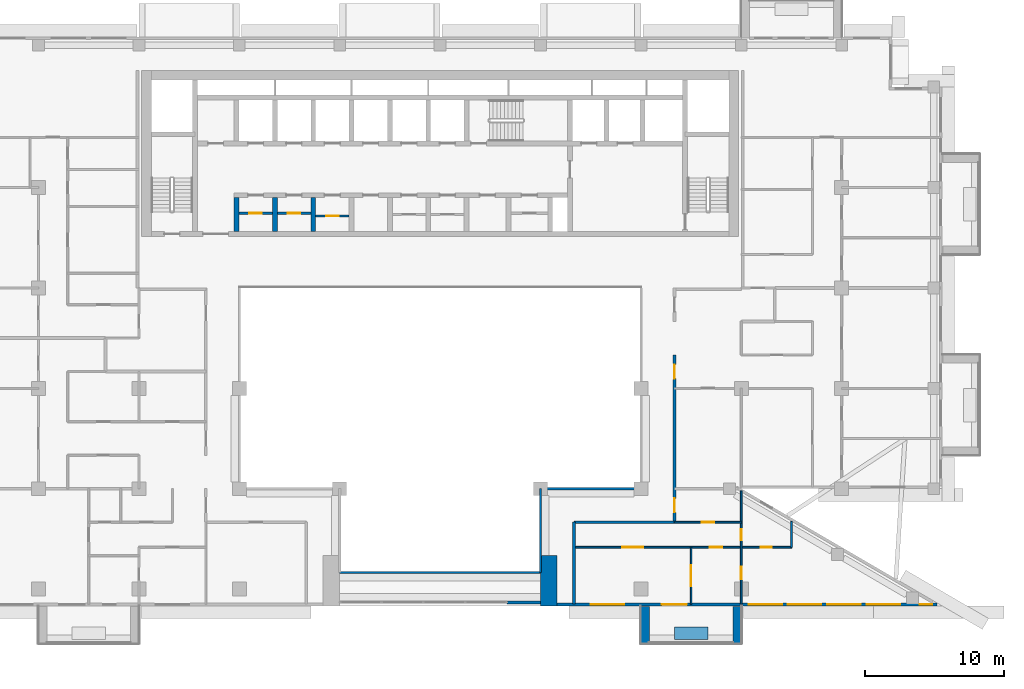
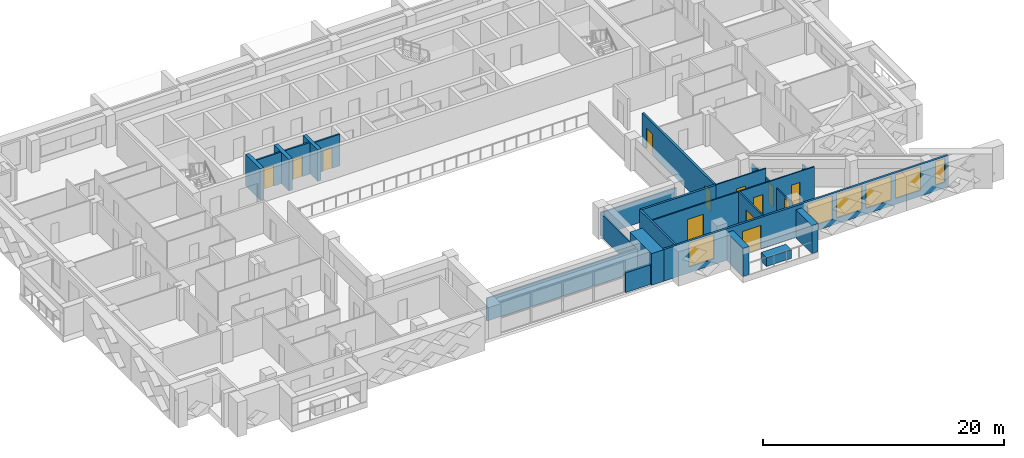
# One storey, part 8 of 19: 23 walls, 13 doors, 6 windows, 19 openings.
"""IFC4 building model written with IfcOpenShell, lengths in metres."""

from ifc_helpers import new_model, si_unit, direction, frame, frame_2d, origin, place, context, subcontext, project, spatial, rectangle, extrude, material, layer, layer_set, type_object, element, fill, save


model = new_model("IFC4")

# Units and contexts
model_context = context("Model", 3, precision=1e-05, world=origin(), true_north=direction((0.0, 1.0)))
body_context = subcontext(model_context, "Body", "Model", "MODEL_VIEW")
ifc_project = project(units=[si_unit("LENGTHUNIT", "METRE"), si_unit("AREAUNIT", "SQUARE_METRE"), si_unit("VOLUMEUNIT", "CUBIC_METRE"), si_unit("PLANEANGLEUNIT", "RADIAN"), si_unit("MASSUNIT", "GRAM", prefix="KILO")], contexts=[model_context])

# Site, building, storey
site_placement = place(None, origin())
site = spatial("IfcSite", under=ifc_project, at=site_placement, CompositionType="ELEMENT")
building_placement = place(site_placement, origin())
building = spatial("IfcBuilding", under=site, at=building_placement, Name="Saffron Iwan Residences", CompositionType="ELEMENT")
storey_placement = place(building_placement, frame((0.0, 0.0, 160.5)))
storey = spatial("IfcBuildingStorey", under=building, at=storey_placement, Name="L42", CompositionType="ELEMENT", Elevation=160.5)

# Walls
ifc_material_1 = material(Name="Fire-rated glazing", Category="glass")
ifc_layer_1 = layer(ifc_material_1, 0.14990234375)
ifc_layer_set_1 = layer_set([ifc_layer_1], Name="Fire-rated glazing")
wall_type_1 = type_object("IfcWallType", Name="Atrium glazed screen 150", PredefinedType="SOLIDWALL", material=ifc_layer_set_1)
wall_1_placement = place(storey_placement, frame((43.199951171875, 42.0, 0.0), z_axis=(0.0, 0.0, 1.0), x_axis=(1.0, 0.0, 0.0)))
element("IfcWall", 1, at=wall_1_placement, inside=storey, type_object=wall_type_1, Name="W-L42-SCREEN-h42-43.2", PredefinedType="SOLIDWALL", context=body_context, shape_type="SweptSolid", body=[
    extrude(rectangle(XDim=14.400146484375, YDim=0.14990234375, at=frame_2d((7.2001953125, 0.0))), origin(), (0.0, 0.0, 1.0), 2.300048828125),
])
wall_2_placement = place(storey_placement, frame((57.60009765625, 48.0, 0.0), z_axis=(0.0, 0.0, 1.0), x_axis=(1.0, 0.0, 0.0)))
element("IfcWall", 2, at=wall_2_placement, inside=storey, type_object=wall_type_1, Name="W-L42-SCREEN-h48-57.6", PredefinedType="SOLIDWALL", context=body_context, shape_type="SweptSolid", body=[
    extrude(rectangle(XDim=7.199951171875, YDim=0.14990234375, at=frame_2d((3.60009765625, 0.0))), origin(), (0.0, 0.0, 1.0), 2.300048828125),
])
wall_3_placement = place(storey_placement, frame((57.60009765625, 42.0, 0.0), z_axis=(0.0, 0.0, 1.0), x_axis=(0.0, 1.0, 0.0)))
element("IfcWall", 3, at=wall_3_placement, inside=storey, type_object=wall_type_1, Name="W-L42-SCREEN-v57.6-42", PredefinedType="SOLIDWALL", context=body_context, shape_type="SweptSolid", body=[
    extrude(rectangle(XDim=6.0, YDim=0.14990234375, at=frame_2d((3.0, 0.0))), origin(), (0.0, 0.0, 1.0), 2.300048828125),
])
ifc_material_2 = material(Name="Concrete C50/60 white painted", Category="concrete")
ifc_layer_2 = layer(ifc_material_2, 0.60009765625)
ifc_layer_set_2 = layer_set([ifc_layer_2], Name="Concrete C50/60 white painted")
wall_type_2 = type_object("IfcWallType", Name="BALCONY FIN 600", PredefinedType="SOLIDWALL", material=ifc_layer_set_2)
for number, where, z_axis, x_axis, name in (
    (4, (65.10009765625, 39.550048828125, 0.0), (0.0, 0.0, 1.0), (0.0, -1.0, 0.0), "Balcony fin L42 11-1a"),
    (5, (71.699951171875, 39.550048828125, 0.0), (0.0, 0.0, 1.0), (0.0, -1.0, 0.0), "Balcony fin L42 11-1b"),
):
    element("IfcWall", number, at=place(storey_placement, frame(where, z_axis=z_axis, x_axis=x_axis)), inside=storey, type_object=wall_type_2, Name=name, PredefinedType="SOLIDWALL", context=body_context, shape_type="SweptSolid", body=[
        extrude(rectangle(XDim=2.650146484375, YDim=0.60009765625, at=frame_2d((1.3251953125, 0.0))), origin(), (0.0, 0.0, 1.0), 2.85009765625),
    ])
ifc_material_3 = material(Name="Concrete C35/45 white painted", Category="concrete")
ifc_layer_3 = layer(ifc_material_3, 0.14990234375)
ifc_layer_set_3 = layer_set([ifc_layer_3], Name="Concrete C35/45 white painted")
wall_type_3 = type_object("IfcWallType", Name="BALCONY PLANTER", PredefinedType="SOLIDWALL", material=ifc_layer_set_3)
wall_4_placement = place(storey_placement, frame((67.199951171875, 37.625, 0.0), z_axis=(0.0, 0.0, 1.0), x_axis=(1.0, 0.0, 0.0)))
element("IfcWall", 6, at=wall_4_placement, inside=storey, type_object=wall_type_3, Name="PLANTER L42 11-1", PredefinedType="SOLIDWALL", context=body_context, shape_type="SweptSolid", body=[
    extrude(rectangle(XDim=2.400146484375, YDim=0.89990234375, at=frame_2d((1.2001953125, 0.0))), origin(), (0.0, 0.0, 1.0), 0.89990234375),
])

# Wall, opening, door
ifc_material_4 = material(Name="Fire-rated plasterboard partition")
ifc_layer_4 = layer(ifc_material_4, 0.14990234375)
ifc_layer_set_4 = layer_set([ifc_layer_4], Name="Fire-rated plasterboard partition")
wall_type_4 = type_object("IfcWallType", Name="Core partition 150", PredefinedType="PARTITIONING", material=ifc_layer_set_4)
wall_5_placement = place(storey_placement, frame((35.97509765625, 67.759521484375, 0.0), z_axis=(0.0, 0.0, 1.0), x_axis=(1.0, 0.0, 0.0)))
wall_5 = element("IfcWall", 7, at=wall_5_placement, inside=storey, type_object=wall_type_4, Name="Core partition P01", PredefinedType="PARTITIONING", context=body_context, shape_type="SweptSolid", body=[
    extrude(rectangle(XDim=2.39990234375, YDim=0.14990234375, at=frame_2d((1.199951171875, 0.0))), origin(), (0.0, 0.0, 1.0), 3.199951171875),
])
opening_1_placement = place(wall_5_placement, frame((0.75, 0.0, 0.0)))
opening_1 = element("IfcOpeningElement", 8, at=opening_1_placement, cuts=wall_5, Name="Opening SB", PredefinedType="OPENING", context=body_context, shape_type="SweptSolid", body=[
    extrude(rectangle(XDim=0.89990234375, YDim=2.10009765625, at=frame_2d((0.449951171875, 1.050048828125))), frame((0.0, 0.0849609375, 0.0), z_axis=(0.0, -1.0, 0.0), x_axis=(1.0, 0.0, 0.0)), (0.0, 0.0, 1.0), 0.169921875),
])
ifc_material_5 = material(Name="Steel fire door", Category="steel")
door_type_1 = type_object("IfcDoorType", Name="Store door 900", OperationType="NOTDEFINED", PredefinedType="DOOR", material=ifc_material_5)
door_1_placement = place(opening_1_placement, origin())
door_1 = element("IfcDoor", 9, at=door_1_placement, inside=storey, type_object=door_type_1, Name="Door Tool store", OperationType="SINGLE_SWING_LEFT", OverallHeight=2.10009765625, OverallWidth=0.89990234375, PredefinedType="DOOR", context=body_context, shape_type="SweptSolid", body=[
    extrude(rectangle(XDim=0.89990234375, YDim=2.10009765625, at=frame_2d((0.449951171875, 1.050048828125))), frame((0.0, 0.02490234375, 0.0), z_axis=(0.0, -1.0, 0.0), x_axis=(1.0, 0.0, 0.0)), (0.0, 0.0, 1.0), 0.050048828125),
])
fill(opening_1, door_1)

wall_6_placement = place(storey_placement, frame((38.72509765625, 67.759521484375, 0.0), z_axis=(0.0, 0.0, 1.0), x_axis=(1.0, 0.0, 0.0)))
wall_6 = element("IfcWall", 10, at=wall_6_placement, inside=storey, type_object=wall_type_4, Name="Core partition P02", PredefinedType="PARTITIONING", context=body_context, shape_type="SweptSolid", body=[
    extrude(rectangle(XDim=2.39990234375, YDim=0.14990234375, at=frame_2d((1.199951171875, 0.0))), origin(), (0.0, 0.0, 1.0), 3.199951171875),
])
opening_2_placement = place(wall_6_placement, frame((0.75, 0.0, 0.0)))
opening_2 = element("IfcOpeningElement", 11, at=opening_2_placement, cuts=wall_6, Name="Opening SB", PredefinedType="OPENING", context=body_context, shape_type="SweptSolid", body=[
    extrude(rectangle(XDim=0.89990234375, YDim=2.10009765625, at=frame_2d((0.449951171875, 1.050048828125))), frame((0.0, 0.0849609375, 0.0), z_axis=(0.0, -1.0, 0.0), x_axis=(1.0, 0.0, 0.0)), (0.0, 0.0, 1.0), 0.169921875),
])
door_2_placement = place(opening_2_placement, origin())
door_2 = element("IfcDoor", 12, at=door_2_placement, inside=storey, type_object=door_type_1, Name="Door Cabling room", OperationType="SINGLE_SWING_RIGHT", OverallHeight=2.10009765625, OverallWidth=0.89990234375, PredefinedType="DOOR", context=body_context, shape_type="SweptSolid", body=[
    extrude(rectangle(XDim=0.89990234375, YDim=2.10009765625, at=frame_2d((0.449951171875, 1.050048828125))), frame((0.0, 0.02490234375, 0.0), z_axis=(0.0, -1.0, 0.0), x_axis=(1.0, 0.0, 0.0)), (0.0, 0.0, 1.0), 0.050048828125),
])
fill(opening_2, door_2)

wall_7_placement = place(storey_placement, frame((41.47509765625, 67.5654296875, 0.0), z_axis=(0.0, 0.0, 1.0), x_axis=(1.0, 0.0, 0.0)))
wall_7 = element("IfcWall", 13, at=wall_7_placement, inside=storey, type_object=wall_type_4, Name="Core partition P03", PredefinedType="PARTITIONING", context=body_context, shape_type="SweptSolid", body=[
    extrude(rectangle(XDim=2.39990234375, YDim=0.14990234375, at=frame_2d((1.199951171875, 0.0))), origin(), (0.0, 0.0, 1.0), 3.199951171875),
])
opening_3_placement = place(wall_7_placement, frame((0.75, 0.0, 0.0)))
opening_3 = element("IfcOpeningElement", 14, at=opening_3_placement, cuts=wall_7, Name="Opening SB", PredefinedType="OPENING", context=body_context, shape_type="SweptSolid", body=[
    extrude(rectangle(XDim=0.89990234375, YDim=2.10009765625, at=frame_2d((0.449951171875, 1.050048828125))), frame((0.0, 0.0849609375, 0.0), z_axis=(0.0, -1.0, 0.0), x_axis=(1.0, 0.0, 0.0)), (0.0, 0.0, 1.0), 0.169921875),
])
door_3_placement = place(opening_3_placement, origin())
door_3 = element("IfcDoor", 15, at=door_3_placement, inside=storey, type_object=door_type_1, Name="Door Equipment store", OperationType="SINGLE_SWING_RIGHT", OverallHeight=2.10009765625, OverallWidth=0.89990234375, PredefinedType="DOOR", context=body_context, shape_type="SweptSolid", body=[
    extrude(rectangle(XDim=0.89990234375, YDim=2.10009765625, at=frame_2d((0.449951171875, 1.050048828125))), frame((0.0, 0.02490234375, 0.0), z_axis=(0.0, -1.0, 0.0), x_axis=(1.0, 0.0, 0.0)), (0.0, 0.0, 1.0), 0.050048828125),
])
fill(opening_3, door_3)

# Wall, openings, door, windows
ifc_material_6 = material(Name="Concrete C40/50", Category="concrete")
ifc_layer_5 = layer(ifc_material_6, 0.199951171875)
ifc_layer_set_5 = layer_set([ifc_layer_5], Name="Concrete C40/50")
wall_type_5 = type_object("IfcWallType", Name="EXTERNAL WALL 200", PredefinedType="SOLIDWALL", material=ifc_layer_set_5)
wall_8_placement = place(storey_placement, frame((58.800048828125, 39.699951171875, 0.0), z_axis=(0.0, 0.0, 1.0), x_axis=(1.0, 0.0, 0.0)))
wall_8 = element("IfcWall", 16, at=wall_8_placement, inside=storey, type_object=wall_type_5, Name="External wall L42 F11.1", PredefinedType="SOLIDWALL", context=body_context, shape_type="SweptSolid", body=[
    extrude(rectangle(XDim=27.22998046875, YDim=0.199951171875, at=frame_2d((13.614990234375, 0.0))), origin(), (0.0, 0.0, 1.0), 3.199951171875),
])
opening_4_placement = place(wall_8_placement, frame((7.5, 0.0, 0.0)))
opening_4 = element("IfcOpeningElement", 17, at=opening_4_placement, cuts=wall_8, Name="Opening BD1", PredefinedType="OPENING", context=body_context, shape_type="SweptSolid", body=[
    extrude(rectangle(XDim=1.800048828125, YDim=2.39990234375, at=frame_2d((0.89990234375, 1.199951171875))), frame((0.0, 0.10986328125, 0.0), z_axis=(0.0, -1.0, 0.0), x_axis=(1.0, 0.0, 0.0)), (0.0, 0.0, 1.0), 0.219970703125),
])
opening_5_placement = place(wall_8_placement, frame((2.39990234375, 0.0, 0.60009765625)))
opening_5 = element("IfcOpeningElement", 18, at=opening_5_placement, cuts=wall_8, Name="Opening W1", PredefinedType="OPENING", context=body_context, shape_type="SweptSolid", body=[
    extrude(rectangle(XDim=2.39990234375, YDim=2.39990234375, at=frame_2d((1.199951171875, 1.199951171875))), frame((0.0, 0.10986328125, 0.0), z_axis=(0.0, -1.0, 0.0), x_axis=(1.0, 0.0, 0.0)), (0.0, 0.0, 1.0), 0.219970703125),
])
opening_6_placement = place(wall_8_placement, frame((13.72021484375, 0.0, 0.60009765625)))
opening_6 = element("IfcOpeningElement", 19, at=opening_6_placement, cuts=wall_8, Name="Opening W1", PredefinedType="OPENING", context=body_context, shape_type="SweptSolid", body=[
    extrude(rectangle(XDim=2.39990234375, YDim=2.39990234375, at=frame_2d((1.199951171875, 1.199951171875))), frame((0.0, 0.10986328125, 0.0), z_axis=(0.0, -1.0, 0.0), x_axis=(1.0, 0.0, 0.0)), (0.0, 0.0, 1.0), 0.219970703125),
])
opening_7_placement = place(wall_8_placement, frame((16.54052734375, 0.0, 0.60009765625)))
opening_7 = element("IfcOpeningElement", 20, at=opening_7_placement, cuts=wall_8, Name="Opening W1", PredefinedType="OPENING", context=body_context, shape_type="SweptSolid", body=[
    extrude(rectangle(XDim=2.39990234375, YDim=2.39990234375, at=frame_2d((1.199951171875, 1.199951171875))), frame((0.0, 0.10986328125, 0.0), z_axis=(0.0, -1.0, 0.0), x_axis=(1.0, 0.0, 0.0)), (0.0, 0.0, 1.0), 0.219970703125),
])
opening_8_placement = place(wall_8_placement, frame((19.360595703125, 0.0, 0.60009765625)))
opening_8 = element("IfcOpeningElement", 21, at=opening_8_placement, cuts=wall_8, Name="Opening W1", PredefinedType="OPENING", context=body_context, shape_type="SweptSolid", body=[
    extrude(rectangle(XDim=2.39990234375, YDim=2.39990234375, at=frame_2d((1.199951171875, 1.199951171875))), frame((0.0, 0.10986328125, 0.0), z_axis=(0.0, -1.0, 0.0), x_axis=(1.0, 0.0, 0.0)), (0.0, 0.0, 1.0), 0.219970703125),
])
opening_9_placement = place(wall_8_placement, frame((22.180908203125, 0.0, 0.60009765625)))
opening_9 = element("IfcOpeningElement", 22, at=opening_9_placement, cuts=wall_8, Name="Opening W1", PredefinedType="OPENING", context=body_context, shape_type="SweptSolid", body=[
    extrude(rectangle(XDim=2.39990234375, YDim=2.39990234375, at=frame_2d((1.199951171875, 1.199951171875))), frame((0.0, 0.10986328125, 0.0), z_axis=(0.0, -1.0, 0.0), x_axis=(1.0, 0.0, 0.0)), (0.0, 0.0, 1.0), 0.219970703125),
])
opening_10_placement = place(wall_8_placement, frame((25.990478515625, 0.0, 0.60009765625)))
opening_10 = element("IfcOpeningElement", 23, at=opening_10_placement, cuts=wall_8, Name="Opening W10", PredefinedType="OPENING", context=body_context, shape_type="SweptSolid", body=[
    extrude(rectangle(XDim=0.89990234375, YDim=2.39990234375, at=frame_2d((0.449951171875, 1.199951171875))), frame((0.0, 0.10986328125, 0.0), z_axis=(0.0, -1.0, 0.0), x_axis=(1.0, 0.0, 0.0)), (0.0, 0.0, 1.0), 0.219970703125),
])
ifc_material_7 = material(Name="Clear glass, laminated double glazed", Category="glass")
door_type_2 = type_object("IfcDoorType", Name="BALCONY DOOR 1800 x 2400", OperationType="DOUBLE_DOOR_SLIDING", PredefinedType="DOOR", material=ifc_material_7)
door_4_placement = place(opening_4_placement, origin())
door_4 = element("IfcDoor", 24, at=door_4_placement, inside=storey, type_object=door_type_2, Name="Balcony door L42 F11.0", OperationType="DOUBLE_DOOR_SLIDING", OverallHeight=2.39990234375, OverallWidth=1.800048828125, PredefinedType="DOOR", context=body_context, shape_type="SweptSolid", body=[
    extrude(rectangle(XDim=1.800048828125, YDim=2.39990234375, at=frame_2d((0.89990234375, 1.199951171875))), frame((0.0, 0.02490234375, 0.0), z_axis=(0.0, -1.0, 0.0), x_axis=(1.0, 0.0, 0.0)), (0.0, 0.0, 1.0), 0.050048828125),
])
fill(opening_4, door_4)
window_type_1 = type_object("IfcWindowType", Name="WINDOW 2400 x 2400", PartitioningType="DOUBLE_PANEL_VERTICAL", PredefinedType="WINDOW", material=ifc_material_7)
window_1_placement = place(opening_5_placement, origin())
window_1 = element("IfcWindow", 25, at=window_1_placement, inside=storey, type_object=window_type_1, Name="Window L42 F11.1", OverallHeight=2.39990234375, OverallWidth=2.39990234375, PartitioningType="DOUBLE_PANEL_VERTICAL", PredefinedType="WINDOW", context=body_context, shape_type="SweptSolid", body=[
    extrude(rectangle(XDim=2.39990234375, YDim=2.39990234375, at=frame_2d((1.199951171875, 1.199951171875))), frame((0.0, 0.030029296875, 0.0), z_axis=(0.0, -1.0, 0.0), x_axis=(1.0, 0.0, 0.0)), (0.0, 0.0, 1.0), 0.06005859375),
])
fill(opening_5, window_1)
window_2_placement = place(opening_6_placement, origin())
window_2 = element("IfcWindow", 26, at=window_2_placement, inside=storey, type_object=window_type_1, Name="Window L42 F11.2", OverallHeight=2.39990234375, OverallWidth=2.39990234375, PartitioningType="DOUBLE_PANEL_VERTICAL", PredefinedType="WINDOW", context=body_context, shape_type="SweptSolid", body=[
    extrude(rectangle(XDim=2.39990234375, YDim=2.39990234375, at=frame_2d((1.199951171875, 1.199951171875))), frame((0.0, 0.030029296875, 0.0), z_axis=(0.0, -1.0, 0.0), x_axis=(1.0, 0.0, 0.0)), (0.0, 0.0, 1.0), 0.06005859375),
])
fill(opening_6, window_2)
window_3_placement = place(opening_7_placement, origin())
window_3 = element("IfcWindow", 27, at=window_3_placement, inside=storey, type_object=window_type_1, Name="Window L42 F11.3", OverallHeight=2.39990234375, OverallWidth=2.39990234375, PartitioningType="DOUBLE_PANEL_VERTICAL", PredefinedType="WINDOW", context=body_context, shape_type="SweptSolid", body=[
    extrude(rectangle(XDim=2.39990234375, YDim=2.39990234375, at=frame_2d((1.199951171875, 1.199951171875))), frame((0.0, 0.030029296875, 0.0), z_axis=(0.0, -1.0, 0.0), x_axis=(1.0, 0.0, 0.0)), (0.0, 0.0, 1.0), 0.06005859375),
])
fill(opening_7, window_3)
window_4_placement = place(opening_8_placement, origin())
window_4 = element("IfcWindow", 28, at=window_4_placement, inside=storey, type_object=window_type_1, Name="Window L42 F11.4", OverallHeight=2.39990234375, OverallWidth=2.39990234375, PartitioningType="DOUBLE_PANEL_VERTICAL", PredefinedType="WINDOW", context=body_context, shape_type="SweptSolid", body=[
    extrude(rectangle(XDim=2.39990234375, YDim=2.39990234375, at=frame_2d((1.199951171875, 1.199951171875))), frame((0.0, 0.030029296875, 0.0), z_axis=(0.0, -1.0, 0.0), x_axis=(1.0, 0.0, 0.0)), (0.0, 0.0, 1.0), 0.06005859375),
])
fill(opening_8, window_4)
window_5_placement = place(opening_9_placement, origin())
window_5 = element("IfcWindow", 29, at=window_5_placement, inside=storey, type_object=window_type_1, Name="Window L42 F11.5", OverallHeight=2.39990234375, OverallWidth=2.39990234375, PartitioningType="DOUBLE_PANEL_VERTICAL", PredefinedType="WINDOW", context=body_context, shape_type="SweptSolid", body=[
    extrude(rectangle(XDim=2.39990234375, YDim=2.39990234375, at=frame_2d((1.199951171875, 1.199951171875))), frame((0.0, 0.030029296875, 0.0), z_axis=(0.0, -1.0, 0.0), x_axis=(1.0, 0.0, 0.0)), (0.0, 0.0, 1.0), 0.06005859375),
])
fill(opening_9, window_5)
window_type_2 = type_object("IfcWindowType", Name="WINDOW 900 x 2400", PartitioningType="SINGLE_PANEL", PredefinedType="WINDOW", material=ifc_material_7)
window_6_placement = place(opening_10_placement, origin())
window_6 = element("IfcWindow", 30, at=window_6_placement, inside=storey, type_object=window_type_2, Name="Window L42 F11.6", OverallHeight=2.39990234375, OverallWidth=0.89990234375, PartitioningType="SINGLE_PANEL", PredefinedType="WINDOW", context=body_context, shape_type="SweptSolid", body=[
    extrude(rectangle(XDim=0.89990234375, YDim=2.39990234375, at=frame_2d((0.449951171875, 1.199951171875))), frame((0.0, 0.030029296875, 0.0), z_axis=(0.0, -1.0, 0.0), x_axis=(1.0, 0.0, 0.0)), (0.0, 0.0, 1.0), 0.06005859375),
])
fill(opening_10, window_6)

# Wall
wall_9_placement = place(storey_placement, frame((55.199951171875, 39.85009765625, 0.0), z_axis=(0.0, 0.0, 1.0), x_axis=(1.0, 0.0, 0.0)))
element("IfcWall", 31, at=wall_9_placement, inside=storey, type_object=wall_type_5, Name="External wall infill CWB-L42-0", PredefinedType="SOLIDWALL", context=body_context, shape_type="SweptSolid", body=[
    extrude(rectangle(XDim=2.400146484375, YDim=0.199951171875, at=frame_2d((1.2001953125, 0.0))), origin(), (0.0, 0.0, 1.0), 2.0),
])

# Wall, openings, doors
ifc_material_8 = material(Name="Gypsum board partition")
ifc_layer_6 = layer(ifc_material_8, 0.1201171875)
ifc_layer_set_6 = layer_set([ifc_layer_6], Name="Gypsum board partition")
wall_type_6 = type_object("IfcWallType", Name="Flat partition 120", PredefinedType="PARTITIONING", material=ifc_layer_set_6)
wall_10_placement = place(storey_placement, frame((60.0, 43.800048828125, 0.0), z_axis=(0.0, 0.0, 1.0), x_axis=(1.0, 0.0, 0.0)))
wall_10 = element("IfcWall", 32, at=wall_10_placement, inside=storey, type_object=wall_type_6, Name="W-L42-PART-h43.8-60", PredefinedType="PARTITIONING", context=body_context, shape_type="SweptSolid", body=[
    extrude(rectangle(XDim=15.60009765625, YDim=0.1201171875, at=frame_2d((7.800048828125, 0.0))), origin(), (0.0, 0.0, 1.0), 3.199951171875),
])
opening_11_placement = place(wall_10_placement, frame((9.75, 0.0, 0.0)))
opening_11 = element("IfcOpeningElement", 33, at=opening_11_placement, cuts=wall_10, Name="Opening FD2", PredefinedType="OPENING", context=body_context, shape_type="SweptSolid", body=[
    extrude(rectangle(XDim=0.89990234375, YDim=2.10009765625, at=frame_2d((0.449951171875, 1.050048828125))), frame((0.0, 0.070068359375, 0.0), z_axis=(0.0, -1.0, 0.0), x_axis=(1.0, 0.0, 0.0)), (0.0, 0.0, 1.0), 0.14013671875),
])
opening_12_placement = place(wall_10_placement, frame((3.449951171875, 0.0, 0.0)))
opening_12 = element("IfcOpeningElement", 34, at=opening_12_placement, cuts=wall_10, Name="Opening FD4", PredefinedType="OPENING", context=body_context, shape_type="SweptSolid", body=[
    extrude(rectangle(XDim=1.5, YDim=2.10009765625, at=frame_2d((0.75, 1.050048828125))), frame((0.0, 0.070068359375, 0.0), z_axis=(0.0, -1.0, 0.0), x_axis=(1.0, 0.0, 0.0)), (0.0, 0.0, 1.0), 0.14013671875),
])
opening_13_placement = place(wall_10_placement, frame((13.39990234375, 0.0, 0.0)))
opening_13 = element("IfcOpeningElement", 35, at=opening_13_placement, cuts=wall_10, Name="Opening FD3", PredefinedType="OPENING", context=body_context, shape_type="SweptSolid", body=[
    extrude(rectangle(XDim=0.800048828125, YDim=2.10009765625, at=frame_2d((0.39990234375, 1.050048828125))), frame((0.0, 0.070068359375, 0.0), z_axis=(0.0, -1.0, 0.0), x_axis=(1.0, 0.0, 0.0)), (0.0, 0.0, 1.0), 0.14013671875),
])
ifc_material_9 = material(Name="Timber door", Category="wood")
door_type_3 = type_object("IfcDoorType", Name="Bathroom door 800", OperationType="NOTDEFINED", PredefinedType="DOOR", material=ifc_material_9)
door_5_placement = place(opening_13_placement, origin())
door_5 = element("IfcDoor", 36, at=door_5_placement, inside=storey, type_object=door_type_3, Name="Door L42-046", OperationType="SINGLE_SWING_RIGHT", OverallHeight=2.10009765625, OverallWidth=0.800048828125, PredefinedType="DOOR", context=body_context, shape_type="SweptSolid", body=[
    extrude(rectangle(XDim=0.800048828125, YDim=2.10009765625, at=frame_2d((0.39990234375, 1.050048828125))), frame((0.0, 0.02490234375, 0.0), z_axis=(0.0, -1.0, 0.0), x_axis=(1.0, 0.0, 0.0)), (0.0, 0.0, 1.0), 0.050048828125),
])
fill(opening_13, door_5)
door_type_4 = type_object("IfcDoorType", Name="Double door 1500", OperationType="NOTDEFINED", PredefinedType="DOOR", material=ifc_material_9)
door_6_placement = place(opening_12_placement, origin())
door_6 = element("IfcDoor", 37, at=door_6_placement, inside=storey, type_object=door_type_4, Name="Door L42-043", OperationType="SINGLE_SWING_RIGHT", OverallHeight=2.10009765625, OverallWidth=1.5, PredefinedType="DOOR", context=body_context, shape_type="SweptSolid", body=[
    extrude(rectangle(XDim=1.5, YDim=2.10009765625, at=frame_2d((0.75, 1.050048828125))), frame((0.0, 0.02490234375, 0.0), z_axis=(0.0, -1.0, 0.0), x_axis=(1.0, 0.0, 0.0)), (0.0, 0.0, 1.0), 0.050048828125),
])
fill(opening_12, door_6)
door_type_5 = type_object("IfcDoorType", Name="Flat door 900", OperationType="NOTDEFINED", PredefinedType="DOOR", material=ifc_material_9)
door_7_placement = place(opening_11_placement, origin())
door_7 = element("IfcDoor", 38, at=door_7_placement, inside=storey, type_object=door_type_5, Name="Door L42-042", OperationType="SINGLE_SWING_LEFT", OverallHeight=2.10009765625, OverallWidth=0.89990234375, PredefinedType="DOOR", context=body_context, shape_type="SweptSolid", body=[
    extrude(rectangle(XDim=0.89990234375, YDim=2.10009765625, at=frame_2d((0.449951171875, 1.050048828125))), frame((0.0, 0.02490234375, 0.0), z_axis=(0.0, -1.0, 0.0), x_axis=(1.0, 0.0, 0.0)), (0.0, 0.0, 1.0), 0.050048828125),
])
fill(opening_11, door_7)

# Wall, opening, door
wall_11_placement = place(storey_placement, frame((67.199951171875, 45.60009765625, 0.0), z_axis=(0.0, 0.0, 1.0), x_axis=(1.0, 0.0, 0.0)))
wall_11 = element("IfcWall", 39, at=wall_11_placement, inside=storey, type_object=wall_type_6, Name="W-L42-PART-h45.6-67.2", PredefinedType="PARTITIONING", context=body_context, shape_type="SweptSolid", body=[
    extrude(rectangle(XDim=4.800048828125, YDim=0.1201171875, at=frame_2d((2.39990234375, 0.0))), origin(), (0.0, 0.0, 1.0), 3.199951171875),
])
opening_14_placement = place(wall_11_placement, frame((1.949951171875, 0.0, 0.0)))
opening_14 = element("IfcOpeningElement", 40, at=opening_14_placement, cuts=wall_11, Name="Opening FD2", PredefinedType="OPENING", context=body_context, shape_type="SweptSolid", body=[
    extrude(rectangle(XDim=0.89990234375, YDim=2.10009765625, at=frame_2d((0.449951171875, 1.050048828125))), frame((0.0, 0.070068359375, 0.0), z_axis=(0.0, -1.0, 0.0), x_axis=(1.0, 0.0, 0.0)), (0.0, 0.0, 1.0), 0.14013671875),
])
door_8_placement = place(opening_14_placement, origin())
door_8 = element("IfcDoor", 41, at=door_8_placement, inside=storey, type_object=door_type_5, Name="Door L42-040", OperationType="SINGLE_SWING_RIGHT", OverallHeight=2.10009765625, OverallWidth=0.89990234375, PredefinedType="DOOR", context=body_context, shape_type="SweptSolid", body=[
    extrude(rectangle(XDim=0.89990234375, YDim=2.10009765625, at=frame_2d((0.449951171875, 1.050048828125))), frame((0.0, 0.02490234375, 0.0), z_axis=(0.0, -1.0, 0.0), x_axis=(1.0, 0.0, 0.0)), (0.0, 0.0, 1.0), 0.050048828125),
])
fill(opening_14, door_8)

wall_12_placement = place(storey_placement, frame((68.39990234375, 39.72509765625, 0.0), z_axis=(0.0, 0.0, 1.0), x_axis=(0.0, 1.0, 0.0)))
wall_12 = element("IfcWall", 42, at=wall_12_placement, inside=storey, type_object=wall_type_6, Name="W-L42-PART-v68.4-39.725", PredefinedType="PARTITIONING", context=body_context, shape_type="SweptSolid", body=[
    extrude(rectangle(XDim=4.074951171875, YDim=0.1201171875, at=frame_2d((2.03759765625, 0.0))), origin(), (0.0, 0.0, 1.0), 3.199951171875),
])
opening_15_placement = place(wall_12_placement, frame((1.28759765625, 0.0, 0.0)))
opening_15 = element("IfcOpeningElement", 43, at=opening_15_placement, cuts=wall_12, Name="Opening FD4", PredefinedType="OPENING", context=body_context, shape_type="SweptSolid", body=[
    extrude(rectangle(XDim=1.5, YDim=2.10009765625, at=frame_2d((0.75, 1.050048828125))), frame((0.0, 0.070068359375, 0.0), z_axis=(0.0, -1.0, 0.0), x_axis=(1.0, 0.0, 0.0)), (0.0, 0.0, 1.0), 0.14013671875),
])
door_9_placement = place(opening_15_placement, origin())
door_9 = element("IfcDoor", 44, at=door_9_placement, inside=storey, type_object=door_type_4, Name="Door L42-039", OperationType="SINGLE_SWING_LEFT", OverallHeight=2.10009765625, OverallWidth=1.5, PredefinedType="DOOR", context=body_context, shape_type="SweptSolid", body=[
    extrude(rectangle(XDim=1.5, YDim=2.10009765625, at=frame_2d((0.75, 1.050048828125))), frame((0.0, 0.02490234375, 0.0), z_axis=(0.0, -1.0, 0.0), x_axis=(1.0, 0.0, 0.0)), (0.0, 0.0, 1.0), 0.050048828125),
])
fill(opening_15, door_9)

# Wall, openings, doors
wall_13_placement = place(storey_placement, frame((72.0, 39.72509765625, 0.0), z_axis=(0.0, 0.0, 1.0), x_axis=(0.0, 1.0, 0.0)))
wall_13 = element("IfcWall", 45, at=wall_13_placement, inside=storey, type_object=wall_type_6, Name="W-L42-PART-v72-39.725", PredefinedType="PARTITIONING", context=body_context, shape_type="SweptSolid", body=[
    extrude(rectangle(XDim=8.1298828125, YDim=0.1201171875, at=frame_2d((4.06494140625, 0.0))), origin(), (0.0, 0.0, 1.0), 2.300048828125),
])
opening_16_placement = place(wall_13_placement, frame((1.78759765625, 0.0, 0.0)))
opening_16 = element("IfcOpeningElement", 46, at=opening_16_placement, cuts=wall_13, Name="Opening FD2", PredefinedType="OPENING", context=body_context, shape_type="SweptSolid", body=[
    extrude(rectangle(XDim=0.89990234375, YDim=2.10009765625, at=frame_2d((0.449951171875, 1.050048828125))), frame((0.0, 0.070068359375, 0.0), z_axis=(0.0, -1.0, 0.0), x_axis=(1.0, 0.0, 0.0)), (0.0, 0.0, 1.0), 0.14013671875),
])
opening_17_placement = place(wall_13_placement, frame((4.574951171875, 0.0, 0.0)))
opening_17 = element("IfcOpeningElement", 47, at=opening_17_placement, cuts=wall_13, Name="Opening FD3", PredefinedType="OPENING", context=body_context, shape_type="SweptSolid", body=[
    extrude(rectangle(XDim=0.800048828125, YDim=2.10009765625, at=frame_2d((0.39990234375, 1.050048828125))), frame((0.0, 0.070068359375, 0.0), z_axis=(0.0, -1.0, 0.0), x_axis=(1.0, 0.0, 0.0)), (0.0, 0.0, 1.0), 0.14013671875),
])
door_10_placement = place(opening_17_placement, origin())
door_10 = element("IfcDoor", 48, at=door_10_placement, inside=storey, type_object=door_type_3, Name="Door L42-045", OperationType="SINGLE_SWING_LEFT", OverallHeight=2.10009765625, OverallWidth=0.800048828125, PredefinedType="DOOR", context=body_context, shape_type="SweptSolid", body=[
    extrude(rectangle(XDim=0.800048828125, YDim=2.10009765625, at=frame_2d((0.39990234375, 1.050048828125))), frame((0.0, 0.02490234375, 0.0), z_axis=(0.0, -1.0, 0.0), x_axis=(1.0, 0.0, 0.0)), (0.0, 0.0, 1.0), 0.050048828125),
])
fill(opening_17, door_10)
door_11_placement = place(opening_16_placement, origin())
door_11 = element("IfcDoor", 49, at=door_11_placement, inside=storey, type_object=door_type_5, Name="Door L42-044", OperationType="SINGLE_SWING_RIGHT", OverallHeight=2.10009765625, OverallWidth=0.89990234375, PredefinedType="DOOR", context=body_context, shape_type="SweptSolid", body=[
    extrude(rectangle(XDim=0.89990234375, YDim=2.10009765625, at=frame_2d((0.449951171875, 1.050048828125))), frame((0.0, 0.02490234375, 0.0), z_axis=(0.0, -1.0, 0.0), x_axis=(1.0, 0.0, 0.0)), (0.0, 0.0, 1.0), 0.050048828125),
])
fill(opening_16, door_11)

# Walls
wall_14_placement = place(storey_placement, frame((75.60009765625, 43.800048828125, 0.0), z_axis=(0.0, 0.0, 1.0), x_axis=(0.0, 1.0, 0.0)))
element("IfcWall", 50, at=wall_14_placement, inside=storey, type_object=wall_type_6, Name="W-L42-PART-v75.6-43.8", PredefinedType="PARTITIONING", context=body_context, shape_type="SweptSolid", body=[
    extrude(rectangle(XDim=1.868408203125, YDim=0.1201171875, at=frame_2d((0.93408203125, 0.0))), origin(), (0.0, 0.0, 1.0), 2.300048828125),
])
ifc_material_10 = material(Name="Fire-rated gypsum board wall")
ifc_layer_7 = layer(ifc_material_10, 0.199951171875)
ifc_layer_set_7 = layer_set([ifc_layer_7], Name="Fire-rated gypsum board wall")
wall_type_7 = type_object("IfcWallType", Name="Gallery wall 200", PredefinedType="SOLIDWALL", material=ifc_layer_set_7)
wall_15_placement = place(storey_placement, frame((60.0, 45.60009765625, 0.0), z_axis=(0.0, 0.0, 1.0), x_axis=(1.0, 0.0, 0.0)))
element("IfcWall", 51, at=wall_15_placement, inside=storey, type_object=wall_type_7, Name="W-L42-CORR-h45.6-60", PredefinedType="SOLIDWALL", context=body_context, shape_type="SweptSolid", body=[
    extrude(rectangle(XDim=7.199951171875, YDim=0.199951171875, at=frame_2d((3.60009765625, 0.0))), origin(), (0.0, 0.0, 1.0), 3.199951171875),
])
wall_16_placement = place(storey_placement, frame((60.0, 39.72509765625, 0.0), z_axis=(0.0, 0.0, 1.0), x_axis=(0.0, 1.0, 0.0)))
element("IfcWall", 52, at=wall_16_placement, inside=storey, type_object=wall_type_7, Name="W-L42-CORR-v60-39.725", PredefinedType="SOLIDWALL", context=body_context, shape_type="SweptSolid", body=[
    extrude(rectangle(XDim=5.875, YDim=0.199951171875, at=frame_2d((2.9375, 0.0))), origin(), (0.0, 0.0, 1.0), 3.199951171875),
])

# Wall, openings, doors
wall_17_placement = place(storey_placement, frame((67.199951171875, 45.60009765625, 0.0), z_axis=(0.0, 0.0, 1.0), x_axis=(0.0, 1.0, 0.0)))
wall_17 = element("IfcWall", 53, at=wall_17_placement, inside=storey, type_object=wall_type_7, Name="W-L42-CORR-v67.2-45.6", PredefinedType="SOLIDWALL", context=body_context, shape_type="SweptSolid", body=[
    extrude(rectangle(XDim=12.0, YDim=0.199951171875, at=frame_2d((6.0, 0.0))), origin(), (0.0, 0.0, 1.0), 3.199951171875),
])
opening_18_placement = place(wall_17_placement, frame((10.300048828125, 0.0, 0.0)))
opening_18 = element("IfcOpeningElement", 54, at=opening_18_placement, cuts=wall_17, Name="Opening FD1", PredefinedType="OPENING", context=body_context, shape_type="SweptSolid", body=[
    extrude(rectangle(XDim=1.0, YDim=2.10009765625, at=frame_2d((0.5, 1.050048828125))), frame((0.0, 0.10986328125, 0.0), z_axis=(0.0, -1.0, 0.0), x_axis=(1.0, 0.0, 0.0)), (0.0, 0.0, 1.0), 0.219970703125),
])
opening_19_placement = place(wall_17_placement, frame((0.699951171875, 0.0, 0.0)))
opening_19 = element("IfcOpeningElement", 55, at=opening_19_placement, cuts=wall_17, Name="Opening FD5", PredefinedType="OPENING", context=body_context, shape_type="SweptSolid", body=[
    extrude(rectangle(XDim=1.0, YDim=2.10009765625, at=frame_2d((0.5, 1.050048828125))), frame((0.0, 0.10986328125, 0.0), z_axis=(0.0, -1.0, 0.0), x_axis=(1.0, 0.0, 0.0)), (0.0, 0.0, 1.0), 0.219970703125),
])
ifc_material_11 = material(Name="Fire-rated timber door", Category="wood")
door_type_6 = type_object("IfcDoorType", Name="FD30S flat entrance door 1000", OperationType="NOTDEFINED", PredefinedType="DOOR", material=ifc_material_11)
door_12_placement = place(opening_18_placement, origin())
door_12 = element("IfcDoor", 56, at=door_12_placement, inside=storey, type_object=door_type_6, Name="Door L42-014", OperationType="SINGLE_SWING_LEFT", OverallHeight=2.10009765625, OverallWidth=1.0, PredefinedType="DOOR", context=body_context, shape_type="SweptSolid", body=[
    extrude(rectangle(XDim=1.0, YDim=2.10009765625, at=frame_2d((0.5, 1.050048828125))), frame((0.0, 0.02490234375, 0.0), z_axis=(0.0, -1.0, 0.0), x_axis=(1.0, 0.0, 0.0)), (0.0, 0.0, 1.0), 0.050048828125),
])
fill(opening_18, door_12)
door_type_7 = type_object("IfcDoorType", Name="Lobby door 1000", OperationType="NOTDEFINED", PredefinedType="DOOR", material=ifc_material_11)
door_13_placement = place(opening_19_placement, origin())
door_13 = element("IfcDoor", 57, at=door_13_placement, inside=storey, type_object=door_type_7, Name="Door L42-041", OperationType="SINGLE_SWING_LEFT", OverallHeight=2.10009765625, OverallWidth=1.0, PredefinedType="DOOR", context=body_context, shape_type="SweptSolid", body=[
    extrude(rectangle(XDim=1.0, YDim=2.10009765625, at=frame_2d((0.5, 1.050048828125))), frame((0.0, 0.02490234375, 0.0), z_axis=(0.0, -1.0, 0.0), x_axis=(1.0, 0.0, 0.0)), (0.0, 0.0, 1.0), 0.050048828125),
])
fill(opening_19, door_13)

# Walls
ifc_material_12 = material(Name="Concrete C50/60", Category="concrete")
ifc_layer_8 = layer(ifc_material_12, 0.35009765625)
ifc_layer_set_8 = layer_set([ifc_layer_8], Name="Concrete C50/60")
wall_type_8 = type_object("IfcWallType", Name="WALL CORE 350 C50/60 3200 HIGH", PredefinedType="SHEAR", material=ifc_layer_set_8)
for number, where, z_axis, x_axis, name in (
    (58, (35.800048828125, 66.449951171875, 0.0), (0.0, 0.0, 1.0), (0.0, 1.0, 0.0), "Core wall"),
    (59, (38.550048828125, 66.449951171875, 0.0), (0.0, 0.0, 1.0), (0.0, 1.0, 0.0), "Core wall"),
    (60, (41.300048828125, 66.449951171875, 0.0), (0.0, 0.0, 1.0), (0.0, 1.0, 0.0), "Core wall"),
):
    element("IfcWall", number, at=place(storey_placement, frame(where, z_axis=z_axis, x_axis=x_axis)), inside=storey, type_object=wall_type_8, Name=name, PredefinedType="SHEAR", context=body_context, shape_type="SweptSolid", body=[
        extrude(rectangle(XDim=2.425048828125, YDim=0.35009765625, at=frame_2d((1.21240234375, 0.0))), origin(), (0.0, 0.0, 1.0), 3.199951171875),
    ])
ifc_layer_9 = layer(ifc_material_12, 1.199951171875)
ifc_layer_set_9 = layer_set([ifc_layer_9], Name="Concrete C50/60")
wall_type_9 = type_object("IfcWallType", Name="WALL IWAN PIER 1200 C50/60 3200 HIGH", PredefinedType="SHEAR", material=ifc_layer_set_9)
wall_18_placement = place(storey_placement, frame((58.199951171875, 39.60009765625, 0.0), z_axis=(0.0, 0.0, 1.0), x_axis=(0.0, 1.0, 0.0)))
element("IfcWall", 61, at=wall_18_placement, inside=storey, type_object=wall_type_9, Name="IWAN PIER", PredefinedType="SHEAR", context=body_context, shape_type="SweptSolid", body=[
    extrude(rectangle(XDim=3.599853515625, YDim=1.199951171875, at=frame_2d((1.7998046875, 0.0))), origin(), (0.0, 0.0, 1.0), 3.199951171875),
])

save(model, "model.ifc")
